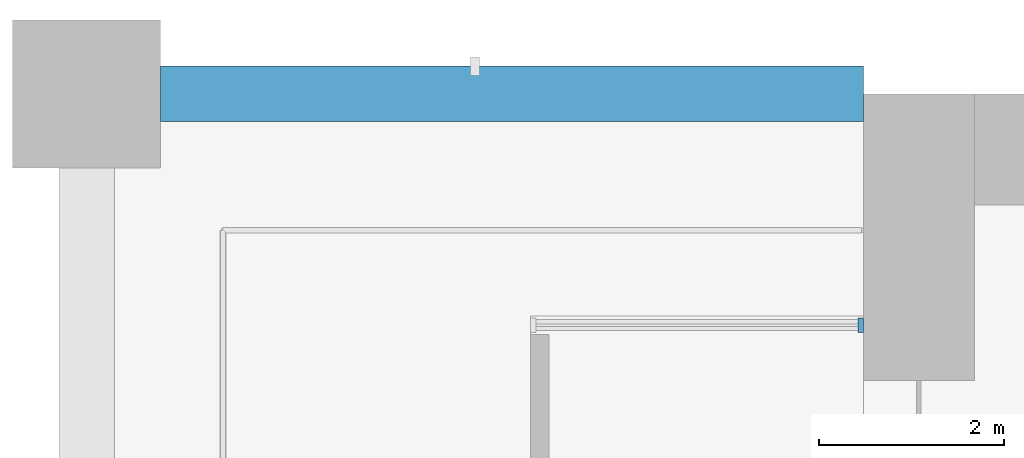
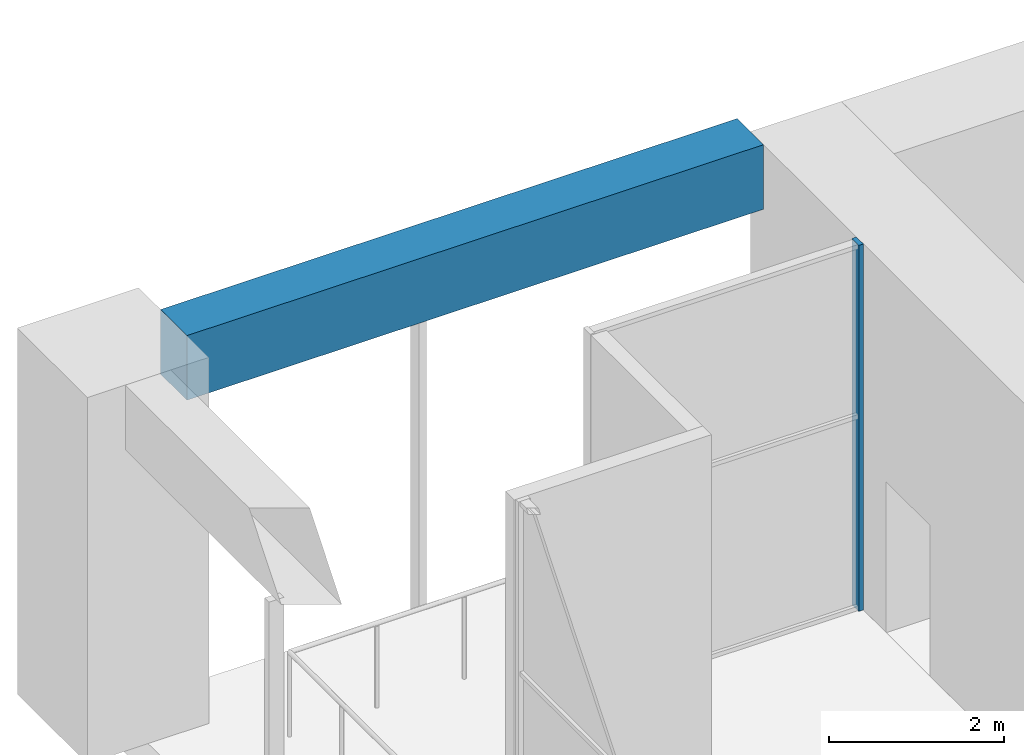
# One storey, part 11 of 33: 1 beam, 1 member, 1 element without a shape of its own.
"""IFC4 building model written with IfcOpenShell, lengths in metres."""

from ifc_helpers import new_model, si_unit, direction, frame, origin, origin_2d, place, context, subcontext, project, spatial, rectangle, extrude, material, material_profile, profile_set, type_object, element, aggregate, save


model = new_model("IFC4")

# Units and contexts
model_context = context("Model", 3, precision=1e-05, world=origin(), true_north=direction((0.0, 1.0)))
body_context = subcontext(model_context, "Body", "Model", "MODEL_VIEW")
ifc_project = project(units=[si_unit("LENGTHUNIT", "METRE"), si_unit("AREAUNIT", "SQUARE_METRE"), si_unit("VOLUMEUNIT", "CUBIC_METRE"), si_unit("PLANEANGLEUNIT", "RADIAN"), si_unit("MASSUNIT", "GRAM", prefix="KILO")], contexts=[model_context])

# Site, building, storey
site_placement = place(None, origin())
site = spatial("IfcSite", under=ifc_project, at=site_placement, CompositionType="ELEMENT")
building_placement = place(site_placement, origin())
building = spatial("IfcBuilding", under=site, at=building_placement, Name="Vermilion Gate Residences", CompositionType="ELEMENT")
storey_placement = place(building_placement, frame((0.0, 0.0, 14.39990234375)))
storey = spatial("IfcBuildingStorey", under=building, at=storey_placement, Name="L02", CompositionType="ELEMENT", Elevation=14.39990234375)

# Curtain wall, member
ifc_material_1 = material(Name="Aluminium and glass", Category="aluminium")
curtain_wall_type = type_object("IfcCurtainWallType", Name="AMENITY GLAZING CURTAIN WALL", PredefinedType="NOTDEFINED", material=ifc_material_1)
curtain_wall_placement = place(storey_placement, origin())
curtain_wall = element("IfcCurtainWall", 1, at=curtain_wall_placement, inside=storey, type_object=curtain_wall_type, Name="Amenity Glazing 0", PredefinedType="NOTDEFINED")
ifc_material_2 = material(Name="Aluminium", Category="aluminium")
ifc_material_profile_1 = material_profile(ifc_material_2, rectangle(XDim=0.159912109375, YDim=0.06005859375, at=origin_2d()), Name="MULLION 60 X 160")
ifc_profile_set_1 = profile_set([ifc_material_profile_1], Name="Aluminium")
member_type = type_object("IfcMemberType", Name="AMENITY GLAZING MULLION 60 X 160", PredefinedType="MULLION", material=ifc_profile_set_1)
member_placement = place(storey_placement, frame((8.3701171875, 56.300048828125, 0.0), z_axis=(0.0, 0.0, 1.0), x_axis=(0.0, -1.0, 0.0)))
member = element("IfcMember", 2, at=member_placement, type_object=member_type, Name="ECW2 mullion 1", PredefinedType="MULLION", context=body_context, shape_type="SweptSolid", body=[
    extrude(rectangle(XDim=0.159912109375, YDim=0.06005859375, at=origin_2d()), origin(), (0.0, 0.0, 1.0), 5.10009765625),
])
aggregate(curtain_wall, [member])

# Beam
ifc_material_3 = material(Name="Concrete C60 red-oxide pigmented", Category="concrete")
ifc_material_profile_2 = material_profile(ifc_material_3, rectangle(XDim=0.60009765625, YDim=0.89990234375, at=origin_2d()), Name="RC-600x900")
ifc_profile_set_2 = profile_set([ifc_material_profile_2], Name="Concrete C60 red-oxide pigmented")
beam_type = type_object("IfcBeamType", Name="RC EDGE BEAM 600 X 900 C60", PredefinedType="BEAM", material=ifc_profile_set_2)
beam_placement = place(storey_placement, frame((0.800048828125, 58.800048828125, 4.650146484375), z_axis=(1.0, 0.0, 0.0), x_axis=(0.0, 1.0, 0.0)))
element("IfcBeam", 3, at=beam_placement, inside=storey, type_object=beam_type, Name="Edge beam L02 8", PredefinedType="BEAM", context=body_context, shape_type="SweptSolid", body=[
    extrude(rectangle(XDim=0.60009765625, YDim=0.89990234375, at=origin_2d()), origin(), (0.0, 0.0, 1.0), 7.599853515625),
])

save(model, "model.ifc")
